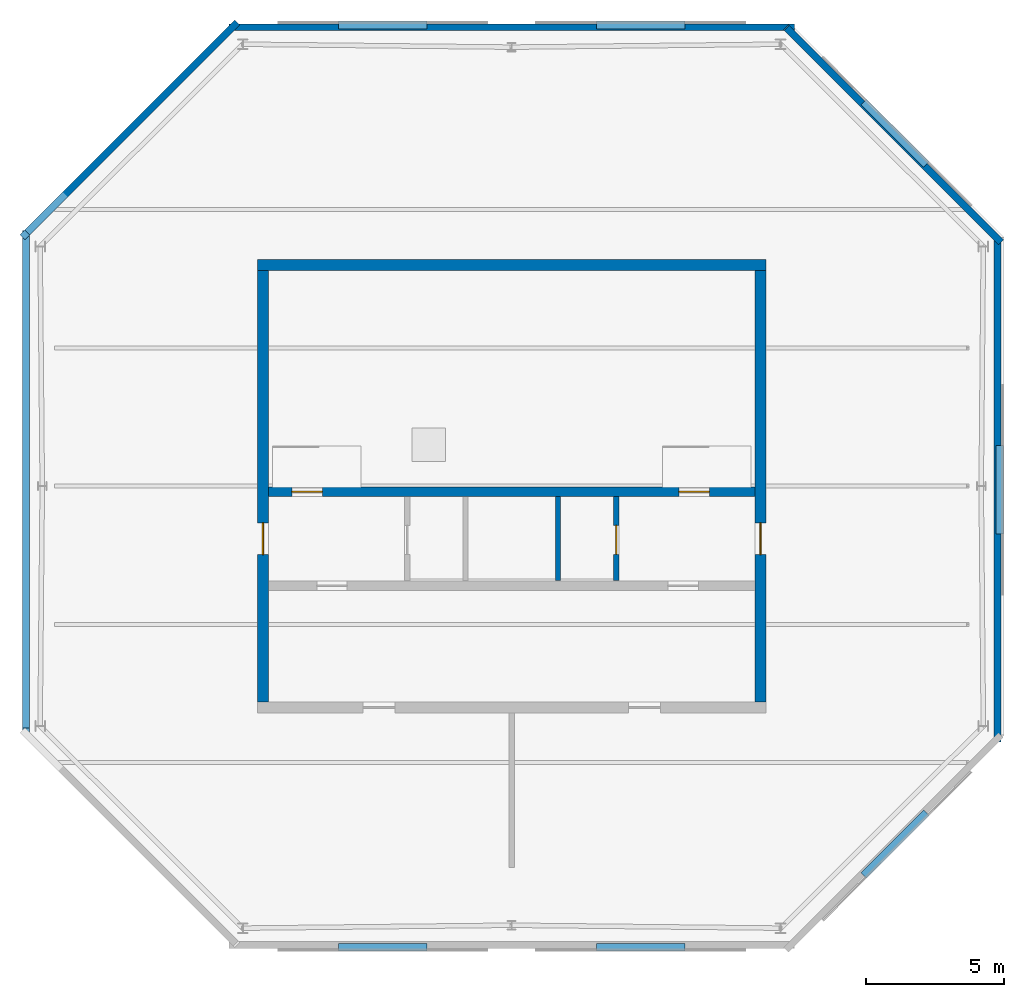
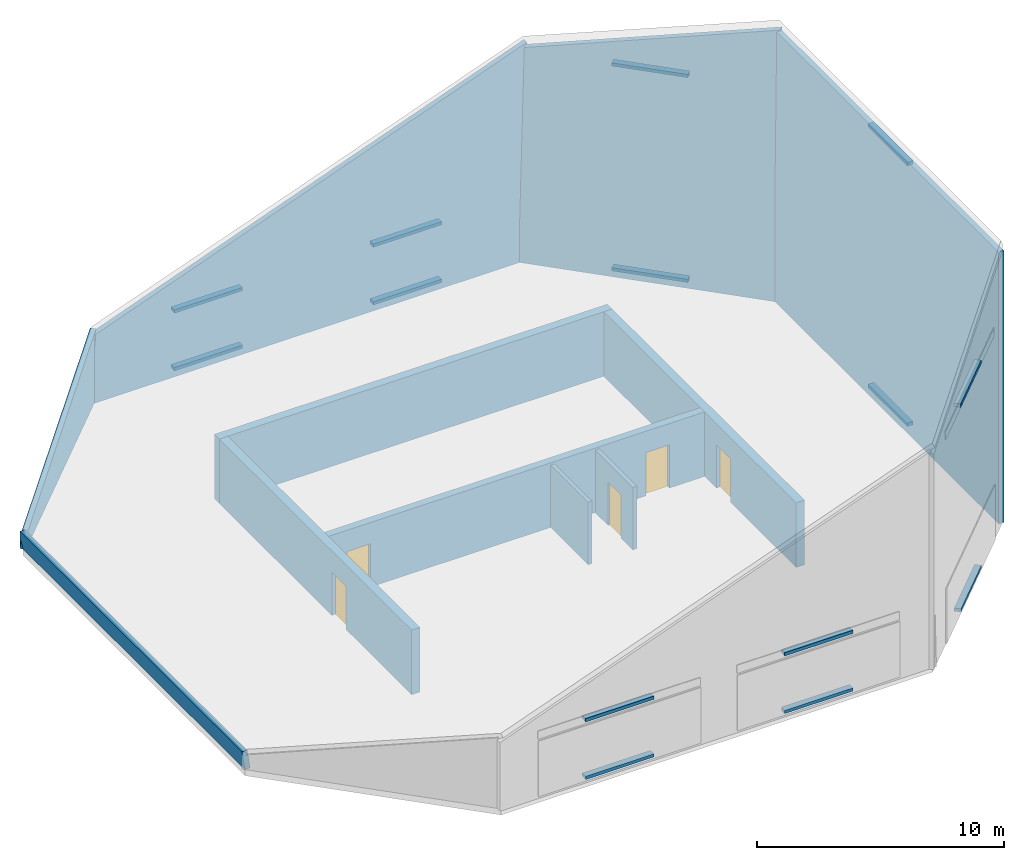
# One storey, part 2 of 3: 14 discrete accessories, 11 walls, 5 doors, 5 openings.
"""IFC4 building model written with IfcOpenShell, lengths in metres."""

from ifc_helpers import new_model, si_unit, direction, frame, frame_2d, origin, origin_2d, place, context, subcontext, project, spatial, polyline, rectangle, outline, extrude, material, layer, layer_set, type_object, element, fill, save


model = new_model("IFC4")

# Units and contexts
model_context = context("Model", 3, precision=1e-05, world=origin(), true_north=direction((0.0, 1.0)))
body_context = subcontext(model_context, "Body", "Model", "MODEL_VIEW")
ifc_project = project(units=[si_unit("LENGTHUNIT", "METRE"), si_unit("AREAUNIT", "SQUARE_METRE"), si_unit("VOLUMEUNIT", "CUBIC_METRE"), si_unit("PLANEANGLEUNIT", "RADIAN"), si_unit("MASSUNIT", "GRAM", prefix="KILO")], contexts=[model_context])

# Site, building, storey
site_placement = place(None, origin())
site = spatial("IfcSite", under=ifc_project, at=site_placement, CompositionType="ELEMENT")
building_placement = place(site_placement, origin())
building = spatial("IfcBuilding", under=site, at=building_placement, Name="Caelvoria Tower", CompositionType="ELEMENT")
storey_placement = place(building_placement, frame((0.0, 0.0, 290.199951171875)))
storey = spatial("IfcBuildingStorey", under=building, at=storey_placement, Name="C2", CompositionType="ELEMENT", Elevation=290.199951171875)

# Wall, openings, doors
ifc_material_1 = material(Name="Concrete C50/60", Category="concrete")
ifc_layer_1 = layer(ifc_material_1, 0.35009765625, Name="Concrete C50/60")
ifc_layer_set_1 = layer_set([ifc_layer_1], Name="Core Internal Shear Wall 350 - Concrete C50/60")
wall_type_1 = type_object("IfcWallType", Name="Core Internal Shear Wall 350", PredefinedType="SHEAR", material=ifc_layer_set_1)
wall_1_placement = place(storey_placement, frame((37.199951171875, 31.800048828125, 0.0), z_axis=(0.0, 0.0, 1.0), x_axis=(1.0, 0.0, 0.0)))
wall_1 = element("IfcWall", 1, at=wall_1_placement, inside=storey, type_object=wall_type_1, Name="Core Shear Wall C2 M1", PredefinedType="SHEAR", context=body_context, shape_type="SweptSolid", body=[
    extrude(rectangle(XDim=17.60009765625, YDim=0.35009765625, at=frame_2d((8.800048828125, 0.0))), origin(), (0.0, 0.0, 1.0), 3.199951171875),
])
opening_1_placement = place(wall_1_placement, frame((0.85009765625, 0.0, 0.0)))
opening_1 = element("IfcOpeningElement", 2, at=opening_1_placement, cuts=wall_1, Name="Opening ID-01", PredefinedType="OPENING", context=body_context, shape_type="SweptSolid", body=[
    extrude(rectangle(XDim=1.10009765625, YDim=2.14990234375, at=frame_2d((0.550048828125, 1.074951171875))), frame((0.0, 0.18505859375, 0.0), z_axis=(0.0, -1.0, 0.0), x_axis=(1.0, 0.0, 0.0)), (0.0, 0.0, 1.0), 0.3701171875),
])
opening_2_placement = place(wall_1_placement, frame((14.85009765625, 0.0, 0.0)))
opening_2 = element("IfcOpeningElement", 3, at=opening_2_placement, cuts=wall_1, Name="Opening ID-01", PredefinedType="OPENING", context=body_context, shape_type="SweptSolid", body=[
    extrude(rectangle(XDim=1.10009765625, YDim=2.14990234375, at=frame_2d((0.550048828125, 1.074951171875))), frame((0.0, 0.18505859375, 0.0), z_axis=(0.0, -1.0, 0.0), x_axis=(1.0, 0.0, 0.0)), (0.0, 0.0, 1.0), 0.3701171875),
])
ifc_material_2 = material(Name="Painted Hollow Steel Fire Door", Category="steel")
door_type_1 = type_object("IfcDoorType", Name="Fire Door FD90S 1100x2150", OperationType="NOTDEFINED", PredefinedType="DOOR", material=ifc_material_2)
door_1_placement = place(opening_1_placement, origin())
door_1 = element("IfcDoor", 4, at=door_1_placement, inside=storey, type_object=door_type_1, Name="Core Door DR-C2-ST1", OperationType="SINGLE_SWING_LEFT", OverallHeight=2.14990234375, OverallWidth=1.10009765625, PredefinedType="DOOR", context=body_context, shape_type="SweptSolid", body=[
    extrude(rectangle(XDim=1.10009765625, YDim=2.14990234375, at=frame_2d((0.550048828125, 1.074951171875))), frame((0.0, 0.02490234375, 0.0), z_axis=(0.0, -1.0, 0.0), x_axis=(1.0, 0.0, 0.0)), (0.0, 0.0, 1.0), 0.050048828125),
])
fill(opening_1, door_1)
door_2_placement = place(opening_2_placement, origin())
door_2 = element("IfcDoor", 5, at=door_2_placement, inside=storey, type_object=door_type_1, Name="Core Door DR-C2-ST2", OperationType="SINGLE_SWING_RIGHT", OverallHeight=2.14990234375, OverallWidth=1.10009765625, PredefinedType="DOOR", context=body_context, shape_type="SweptSolid", body=[
    extrude(rectangle(XDim=1.10009765625, YDim=2.14990234375, at=frame_2d((0.550048828125, 1.074951171875))), frame((0.0, 0.02490234375, 0.0), z_axis=(0.0, -1.0, 0.0), x_axis=(1.0, 0.0, 0.0)), (0.0, 0.0, 1.0), 0.050048828125),
])
fill(opening_2, door_2)

# Walls
ifc_material_3 = material(Name="Precast Concrete C40/50 with Bronze Screen", Category="concrete")
ifc_layer_2 = layer(ifc_material_3, 0.25, Name="Precast Concrete C40/50 with Bronze Screen")
ifc_layer_set_2 = layer_set([ifc_layer_2], Name="Crown Sloped Closure Facade Wall 250 - Precast Concrete C40/50 with Bronze Screen")
wall_type_2 = type_object("IfcWallType", Name="Crown Sloped Closure Facade Wall 250", PredefinedType="STANDARD", material=ifc_layer_set_2)
wall_2_placement = place(storey_placement, frame((63.574951171875, 22.7548828125, 0.0), z_axis=(0.0, 0.0, 1.0), x_axis=(0.0, 1.0, 0.0)))
element("IfcWall", 6, at=wall_2_placement, inside=storey, type_object=wall_type_2, Name="Crown Sloped Facade Wall E2", PredefinedType="STANDARD", context=body_context, shape_type="SweptSolid", body=[
    extrude(outline(polyline([(0.0, 0.0), (18.240234375, 0.0), (18.0, 13.44482421875), (0.0, 13.44482421875), (0.0, 0.0)])), frame((0.0, 0.125, 0.0), z_axis=(0.0, -1.0, 0.0), x_axis=(1.0, 0.0, 0.0)), (0.0, 0.0, 1.0), 0.25),
])
wall_3_placement = place(storey_placement, frame((63.696533203125, 40.826904296875, 0.0), z_axis=(0.0, 0.0, 1.0), x_axis=(-0.707117890571, 0.707095671627, 0.0)))
element("IfcWall", 7, at=wall_3_placement, inside=storey, type_object=wall_type_2, Name="Crown Sloped Facade Wall E3", PredefinedType="STANDARD", context=body_context, shape_type="SweptSolid", body=[
    extrude(outline(polyline([(0.0, 0.0), (10.988037109375, 0.0), (10.748046875, 10.679443359375), (0.0, 13.48876953125), (0.0, 0.0)])), frame((0.0, 0.125, 0.0), z_axis=(0.0, -1.0, 0.0), x_axis=(1.0, 0.0, 0.0)), (0.0, 0.0, 1.0), 0.25),
])
wall_4_placement = place(storey_placement, frame((56.219970703125, 48.60009765625, 0.0), z_axis=(0.0, 0.0, 1.0), x_axis=(-1.0, 0.0, 0.0)))
element("IfcWall", 8, at=wall_4_placement, inside=storey, type_object=wall_type_2, Name="Crown Sloped Facade Wall E4", PredefinedType="STANDARD", context=body_context, shape_type="SweptSolid", body=[
    extrude(outline(polyline([(0.0, 0.0), (20.43994140625, 0.0), (20.199951171875, 3.39453125), (0.0, 10.785400390625), (0.0, 0.0)])), frame((0.0, 0.125, 0.0), z_axis=(0.0, -1.0, 0.0), x_axis=(1.0, 0.0, 0.0)), (0.0, 0.0, 1.0), 0.25),
])
wall_5_placement = place(storey_placement, frame((36.0732421875, 48.773193359375, 0.0), z_axis=(0.0, 0.0, 1.0), x_axis=(-0.707106781187, -0.707106781187, 0.0)))
element("IfcWall", 9, at=wall_5_placement, inside=storey, type_object=wall_type_2, Name="Crown Sloped Facade Wall E5", PredefinedType="STANDARD", context=body_context, shape_type="SweptSolid", body=[
    extrude(outline(polyline([(0.0, 0.0), (10.988037109375, 0.0), (10.748046875, 0.69140625), (0.0, 3.500732421875), (0.0, 0.0)])), frame((0.0, 0.125, 0.0), z_axis=(0.0, -1.0, 0.0), x_axis=(1.0, 0.0, 0.0)), (0.0, 0.0, 1.0), 0.25),
])
wall_6_placement = place(storey_placement, frame((28.425048828125, 41.2451171875, 0.0), z_axis=(0.0, 0.0, 1.0), x_axis=(0.0, -1.0, 0.0)))
element("IfcWall", 10, at=wall_6_placement, inside=storey, type_object=wall_type_2, Name="Crown Sloped Facade Wall E6", PredefinedType="STANDARD", context=body_context, shape_type="SweptSolid", body=[
    extrude(outline(polyline([(0.0, 0.0), (18.240234375, 0.0), (18.0, 0.7353515625), (0.0, 0.7353515625), (0.0, 0.0)])), frame((0.0, 0.125, 0.0), z_axis=(0.0, -1.0, 0.0), x_axis=(1.0, 0.0, 0.0)), (0.0, 0.0, 1.0), 0.25),
])
ifc_material_4 = material(Name="Concrete Block and Fireboard Assembly", Category="concrete")
ifc_layer_3 = layer(ifc_material_4, 0.179931640625, Name="Concrete Block and Fireboard Assembly")
ifc_layer_set_3 = layer_set([ifc_layer_3], Name="Fire-Rated Hoistway Partition Wall 180 - Concrete Block and Fireboard Assembly")
wall_type_3 = type_object("IfcWallType", Name="Fire-Rated Hoistway Partition Wall 180", PredefinedType="PARTITIONING", material=ifc_layer_set_3)
wall_7_placement = place(storey_placement, frame((47.679931640625, 28.580078125, 0.0), z_axis=(0.0, 0.0, 1.0), x_axis=(0.0, 1.0, 0.0)))
element("IfcWall", 11, at=wall_7_placement, inside=storey, type_object=wall_type_3, Name="Interior Partition IW-C2-SV1E", PredefinedType="PARTITIONING", context=body_context, shape_type="SweptSolid", body=[
    extrude(rectangle(XDim=3.0400390625, YDim=0.179931640625, at=frame_2d((1.52001953125, 0.0))), origin(), (0.0, 0.0, 1.0), 3.10009765625),
])

# Wall, opening, door
ifc_layer_4 = layer(ifc_material_4, 0.199951171875, Name="Concrete Block and Fireboard Assembly")
ifc_layer_set_4 = layer_set([ifc_layer_4], Name="Fire-Rated Shaft and Core Partition Wall 200 - Concrete Block and Fireboard Assembly")
wall_type_4 = type_object("IfcWallType", Name="Fire-Rated Shaft and Core Partition Wall 200", PredefinedType="PARTITIONING", material=ifc_layer_set_4)
wall_8_placement = place(storey_placement, frame((49.780029296875, 28.580078125, 0.0), z_axis=(0.0, 0.0, 1.0), x_axis=(0.0, 1.0, 0.0)))
wall_8 = element("IfcWall", 12, at=wall_8_placement, inside=storey, type_object=wall_type_4, Name="Interior Partition IW-C2-LF2E", PredefinedType="PARTITIONING", context=body_context, shape_type="SweptSolid", body=[
    extrude(rectangle(XDim=3.0400390625, YDim=0.199951171875, at=frame_2d((1.52001953125, 0.0))), origin(), (0.0, 0.0, 1.0), 3.10009765625),
])
opening_3_placement = place(wall_8_placement, frame((0.949951171875, 0.0, 0.0)))
opening_3 = element("IfcOpeningElement", 13, at=opening_3_placement, cuts=wall_8, Name="Opening LD-01", PredefinedType="OPENING", context=body_context, shape_type="SweptSolid", body=[
    extrude(rectangle(XDim=1.050048828125, YDim=2.14990234375, at=frame_2d((0.52490234375, 1.074951171875))), frame((0.0, 0.10986328125, 0.0), z_axis=(0.0, -1.0, 0.0), x_axis=(1.0, 0.0, 0.0)), (0.0, 0.0, 1.0), 0.219970703125),
])
ifc_material_5 = material(Name="Brushed Bronze Stainless Sliding Landing Door", Category="aluminium")
door_type_2 = type_object("IfcDoorType", Name="Lift Landing Sliding Door 1100x2150", OperationType="NOTDEFINED", PredefinedType="DOOR", material=ifc_material_5)
door_3_placement = place(opening_3_placement, origin())
door_3 = element("IfcDoor", 14, at=door_3_placement, inside=storey, type_object=door_type_2, Name="Interior Door LD-C2-LF2", OperationType="SLIDING_TO_RIGHT", OverallHeight=2.14990234375, OverallWidth=1.050048828125, PredefinedType="DOOR", context=body_context, shape_type="SweptSolid", body=[
    extrude(rectangle(XDim=1.050048828125, YDim=2.14990234375, at=frame_2d((0.52490234375, 1.074951171875))), frame((0.0, 0.02490234375, 0.0), z_axis=(0.0, -1.0, 0.0), x_axis=(1.0, 0.0, 0.0)), (0.0, 0.0, 1.0), 0.050048828125),
])
fill(opening_3, door_3)

# Wall
ifc_layer_5 = layer(ifc_material_1, 0.39990234375, Name="Concrete C50/60")
ifc_layer_set_5 = layer_set([ifc_layer_5], Name="Summit Core Shear Wall 400 - Concrete C50/60")
wall_type_5 = type_object("IfcWallType", Name="Summit Core Shear Wall 400", PredefinedType="SHEAR", material=ifc_layer_set_5)
wall_9_placement = place(storey_placement, frame((36.800048828125, 40.0, 0.0), z_axis=(0.0, 0.0, 1.0), x_axis=(1.0, 0.0, 0.0)))
element("IfcWall", 15, at=wall_9_placement, inside=storey, type_object=wall_type_5, Name="Core Shear Wall C2 N", PredefinedType="SHEAR", context=body_context, shape_type="SweptSolid", body=[
    extrude(rectangle(XDim=18.39990234375, YDim=0.39990234375, at=frame_2d((9.199951171875, 0.0))), origin(), (0.0, 0.0, 1.0), 3.199951171875),
])

# Wall, opening, door
wall_10_placement = place(storey_placement, frame((37.0, 24.199951171875, 0.0), z_axis=(0.0, 0.0, 1.0), x_axis=(0.0, 1.0, 0.0)))
wall_10 = element("IfcWall", 16, at=wall_10_placement, inside=storey, type_object=wall_type_5, Name="Core Shear Wall C2 W", PredefinedType="SHEAR", context=body_context, shape_type="SweptSolid", body=[
    extrude(rectangle(XDim=15.60009765625, YDim=0.39990234375, at=frame_2d((7.800048828125, 0.0))), origin(), (0.0, 0.0, 1.0), 3.199951171875),
])
opening_4_placement = place(wall_10_placement, frame((5.324951171875, 0.0, 0.0)))
opening_4 = element("IfcOpeningElement", 17, at=opening_4_placement, cuts=wall_10, Name="Opening ID-02", PredefinedType="OPENING", context=body_context, shape_type="SweptSolid", body=[
    extrude(rectangle(XDim=1.14990234375, YDim=2.14990234375, at=frame_2d((0.574951171875, 1.074951171875))), frame((0.0, 0.2099609375, 0.0), z_axis=(0.0, -1.0, 0.0), x_axis=(1.0, 0.0, 0.0)), (0.0, 0.0, 1.0), 0.419921875),
])
door_type_3 = type_object("IfcDoorType", Name="Fire Door FD60S 1150x2150", OperationType="NOTDEFINED", PredefinedType="DOOR", material=ifc_material_2)
door_4_placement = place(opening_4_placement, origin())
door_4 = element("IfcDoor", 18, at=door_4_placement, inside=storey, type_object=door_type_3, Name="Core Door DR-C2-OUTW", OperationType="SINGLE_SWING_LEFT", OverallHeight=2.14990234375, OverallWidth=1.14990234375, PredefinedType="DOOR", context=body_context, shape_type="SweptSolid", body=[
    extrude(rectangle(XDim=1.14990234375, YDim=2.14990234375, at=frame_2d((0.574951171875, 1.074951171875))), frame((0.0, 0.02490234375, 0.0), z_axis=(0.0, -1.0, 0.0), x_axis=(1.0, 0.0, 0.0)), (0.0, 0.0, 1.0), 0.050048828125),
])
fill(opening_4, door_4)

wall_11_placement = place(storey_placement, frame((55.0, 24.199951171875, 0.0), z_axis=(0.0, 0.0, 1.0), x_axis=(0.0, 1.0, 0.0)))
wall_11 = element("IfcWall", 19, at=wall_11_placement, inside=storey, type_object=wall_type_5, Name="Core Shear Wall C2 E", PredefinedType="SHEAR", context=body_context, shape_type="SweptSolid", body=[
    extrude(rectangle(XDim=15.60009765625, YDim=0.39990234375, at=frame_2d((7.800048828125, 0.0))), origin(), (0.0, 0.0, 1.0), 3.199951171875),
])
opening_5_placement = place(wall_11_placement, frame((5.324951171875, 0.0, 0.0)))
opening_5 = element("IfcOpeningElement", 20, at=opening_5_placement, cuts=wall_11, Name="Opening ID-02", PredefinedType="OPENING", context=body_context, shape_type="SweptSolid", body=[
    extrude(rectangle(XDim=1.14990234375, YDim=2.14990234375, at=frame_2d((0.574951171875, 1.074951171875))), frame((0.0, 0.2099609375, 0.0), z_axis=(0.0, -1.0, 0.0), x_axis=(1.0, 0.0, 0.0)), (0.0, 0.0, 1.0), 0.419921875),
])
door_5_placement = place(opening_5_placement, origin())
door_5 = element("IfcDoor", 21, at=door_5_placement, inside=storey, type_object=door_type_3, Name="Core Door DR-C2-OUTE", OperationType="SINGLE_SWING_RIGHT", OverallHeight=2.14990234375, OverallWidth=1.14990234375, PredefinedType="DOOR", context=body_context, shape_type="SweptSolid", body=[
    extrude(rectangle(XDim=1.14990234375, YDim=2.14990234375, at=frame_2d((0.574951171875, 1.074951171875))), frame((0.0, 0.02490234375, 0.0), z_axis=(0.0, -1.0, 0.0), x_axis=(1.0, 0.0, 0.0)), (0.0, 0.0, 1.0), 0.050048828125),
])
fill(opening_5, door_5)

# Discrete accessories
ifc_material_6 = material(Name="Anodised Bronze Stainless Bracket", Category="bronze")
discrete_accessory_type = type_object("IfcDiscreteAccessoryType", Name="Solar Screen Outrigger Support Bracket", PredefinedType="BRACKET", material=ifc_material_6)
for number, where, z_axis, x_axis, name in (
    (22, (41.340087890625, 15.322998046875, 0.240234375), (0.0, 0.0, 1.0), (1.0, 0.0, 0.0), "Solar Screen Bracket C2-E0-00"),
    (23, (41.340087890625, 15.322998046875, 3.0947265625), (0.0, 0.0, 1.0), (1.0, 0.0, 0.0), "Upper Screen Band Bracket C2-E0-00"),
    (24, (50.659912109375, 15.322998046875, 0.240234375), (0.0, 0.0, 1.0), (1.0, 0.0, 0.0), "Solar Screen Bracket C2-E0-01"),
    (25, (50.659912109375, 15.322998046875, 3.0947265625), (0.0, 0.0, 1.0), (1.0, 0.0, 0.0), "Upper Screen Band Bracket C2-E0-01"),
    (26, (59.8662109375, 19.05712890625, 0.240234375), (0.0, 0.0, 1.0), (0.707106781187, 0.707106781187, 0.0), "Solar Screen Bracket C2-E1-00"),
    (27, (59.8662109375, 19.05712890625, 10.37939453125), (0.0, 0.0, 1.0), (0.707106781187, 0.707106781187, 0.0), "Upper Screen Band Bracket C2-E1-00"),
    (28, (63.652099609375, 31.875, 0.240234375), (0.0, 0.0, 1.0), (0.0, 1.0, 0.0), "Solar Screen Bracket C2-E2-00"),
    (29, (63.652099609375, 31.875, 13.14501953125), (0.0, 0.0, 1.0), (0.0, 1.0, 0.0), "Upper Screen Band Bracket C2-E2-00"),
    (30, (59.8662109375, 44.76611328125, 0.240234375), (0.0, 0.0, 1.0), (-0.707106781187, 0.707106781187, 0.0), "Solar Screen Bracket C2-E3-00"),
    (31, (59.8662109375, 44.76611328125, 10.37939453125), (0.0, 0.0, 1.0), (-0.707106781187, 0.707106781187, 0.0), "Upper Screen Band Bracket C2-E3-00"),
    (32, (50.659912109375, 48.677001953125, 0.240234375), (0.0, 0.0, 1.0), (-1.0, 0.0, 0.0), "Solar Screen Bracket C2-E4-00"),
    (33, (50.659912109375, 48.677001953125, 3.0947265625), (0.0, 0.0, 1.0), (-1.0, 0.0, 0.0), "Upper Screen Band Bracket C2-E4-00"),
    (34, (41.340087890625, 48.677001953125, 0.240234375), (0.0, 0.0, 1.0), (-1.0, 0.0, 0.0), "Solar Screen Bracket C2-E4-01"),
    (35, (41.340087890625, 48.677001953125, 3.0947265625), (0.0, 0.0, 1.0), (-1.0, 0.0, 0.0), "Upper Screen Band Bracket C2-E4-01"),
):
    element("IfcDiscreteAccessory", number, at=place(storey_placement, frame(where, z_axis=z_axis, x_axis=x_axis)), inside=storey, type_object=discrete_accessory_type, Name=name, PredefinedType="BRACKET", context=body_context, shape_type="SweptSolid", body=[
        extrude(rectangle(XDim=3.199951171875, YDim=0.280029296875, at=origin_2d()), origin(), (0.0, 0.0, 1.0), 0.159912109375),
    ])

save(model, "model.ifc")
